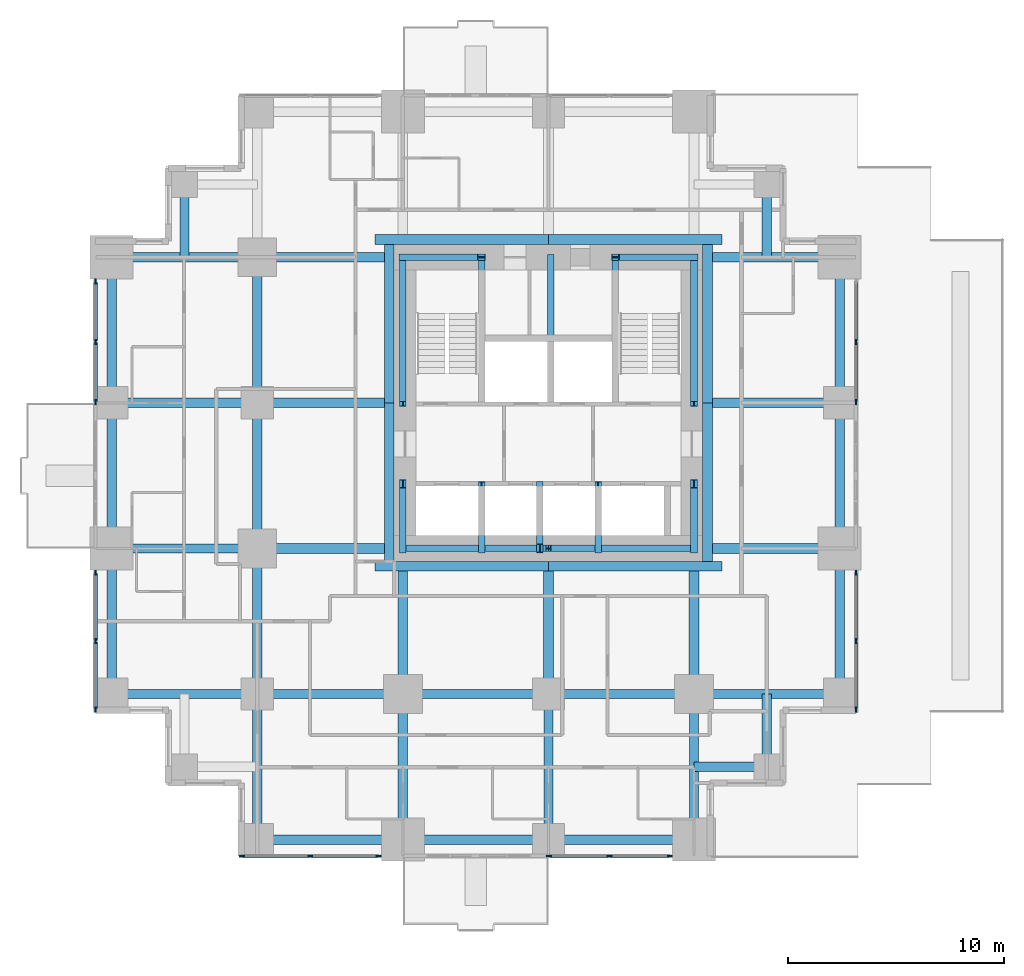
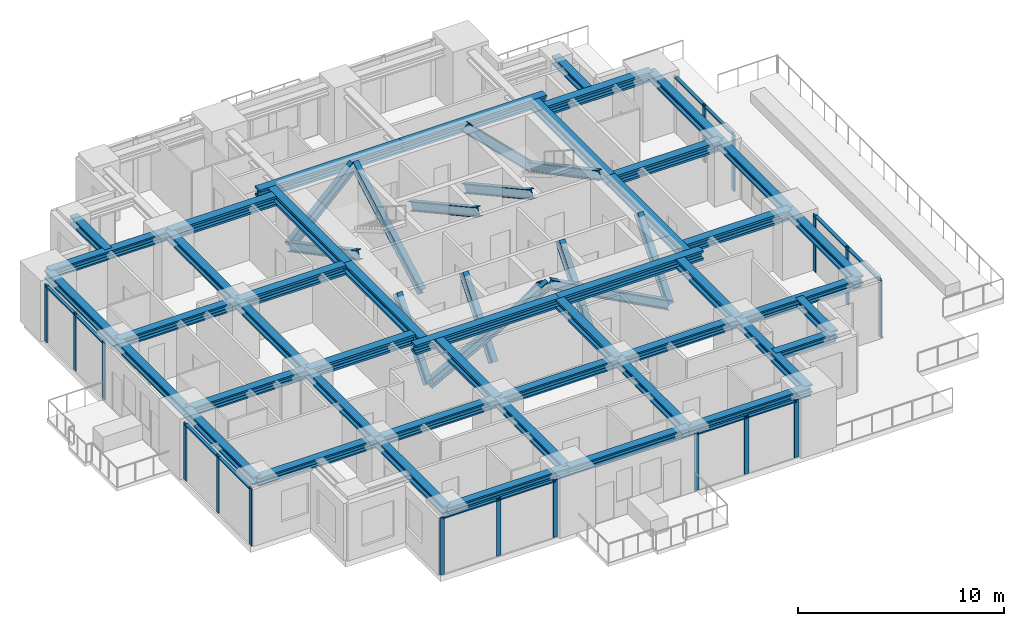
# One storey, part 2 of 10: 45 beams, 43 members, 6 elements without a shape of their own.
"""IFC4 building model written with IfcOpenShell, lengths in metres."""

import ifcopenshell
import ifcopenshell.guid

model = None  # the IFC model being written
_history = None  # IfcOwnerHistory: only IFC2X3 demands one
_inside = {}  # id of a spatial element -> (the spatial element, [elements in it])
_under = {}  # id of a project, library or spatial element -> (it, [spatial elements below it])
_declared = {}  # id of a project -> (the project, [libraries it declares])
_typed = {}  # id of a type object -> (the type object, [elements of that type])
_made_of = {}  # id of a material, layer set ... -> (it, [elements and type objects made of it])


def new_model(schema):
    """Start an empty IFC model of exactly this schema.

    Asked for "IFC4X3", IfcOpenShell would pick the latest addendum, in which some entities
    have other attributes; the version numbers below select the first issue.
    IFC2X3 requires an IfcOwnerHistory on every rooted entity: one is made here for all.
    """
    global model, _history
    if schema == "IFC4X3":
        model = ifcopenshell.file(schema_version=(4, 3, 0, 0))
    else:
        model = ifcopenshell.file(schema=schema)
    _inside.clear()
    _under.clear()
    _declared.clear()
    _typed.clear()
    _made_of.clear()
    _history = None
    if model.schema == "IFC2X3":
        org = make("IfcOrganization", Name="unknown")
        user = make(
            "IfcPersonAndOrganization",
            ThePerson=make("IfcPerson", FamilyName="unknown"),
            TheOrganization=org,
        )
        app = make(
            "IfcApplication",
            ApplicationDeveloper=org,
            Version="unknown",
            ApplicationFullName="unknown",
            ApplicationIdentifier="unknown",
        )
        _history = make(
            "IfcOwnerHistory",
            OwningUser=user,
            OwningApplication=app,
            ChangeAction="ADDED",
            CreationDate=0,
        )
    return model


def make(cls, **values):
    """One entity of the class cls with the attributes given. An attribute that is None is left unset."""
    return model.create_entity(
        cls, **{name: value for name, value in values.items() if value is not None}
    )


def rooted(cls, **values):
    """An entity with a GlobalId (a new one), such as an element, a storey or a relation."""
    return make(cls, GlobalId=ifcopenshell.guid.new(), OwnerHistory=_history, **values)


def si_unit(unit_type, name, prefix=None):
    """IfcSIUnit, for example si_unit("LENGTHUNIT", "METRE", prefix="MILLI")."""
    return make("IfcSIUnit", UnitType=unit_type, Prefix=prefix, Name=name)


def assignment(units):
    """IfcUnitAssignment: the units of a project."""
    return None if units is None else make("IfcUnitAssignment", Units=units)


def point(xyz):
    """IfcCartesianPoint."""
    return None if xyz is None else make("IfcCartesianPoint", Coordinates=xyz)


def direction(xyz):
    """IfcDirection."""
    return None if xyz is None else make("IfcDirection", DirectionRatios=xyz)


def frame(location, z_axis=None, x_axis=None):
    """IfcAxis2Placement3D, a coordinate frame: its origin and axes. An axis left out is left unset."""
    return make(
        "IfcAxis2Placement3D",
        Location=point(location),
        Axis=direction(z_axis),
        RefDirection=direction(x_axis),
    )


def frame_2d(location, x_axis=None):
    """IfcAxis2Placement2D, a coordinate frame in the plane: its origin and x axis."""
    return make(
        "IfcAxis2Placement2D", Location=point(location), RefDirection=direction(x_axis)
    )


def origin():
    """The frame at (0, 0, 0) with its axes left unset."""
    return frame((0.0, 0.0, 0.0))


def origin_2d():
    """The frame at (0, 0) in the plane with its x axis left unset."""
    return frame_2d((0.0, 0.0))


def place(relative_to, where):
    """IfcLocalPlacement: puts the frame where relative to a parent placement (None: the world)."""
    return make(
        "IfcLocalPlacement", PlacementRelTo=relative_to, RelativePlacement=where
    )


def context(
    kind, dimensions, precision=None, world=None, true_north=None, identifier=None
):
    """IfcGeometricRepresentationContext, for example the 3D "Model" context."""
    return make(
        "IfcGeometricRepresentationContext",
        ContextIdentifier=identifier,
        ContextType=kind,
        CoordinateSpaceDimension=dimensions,
        Precision=precision,
        WorldCoordinateSystem=world,
        TrueNorth=true_north,
    )


def subcontext(parent, identifier, kind, view, scale=None):
    """IfcGeometricRepresentationSubContext, for example "Body" below "Model"."""
    return make(
        "IfcGeometricRepresentationSubContext",
        ContextIdentifier=identifier,
        ContextType=kind,
        ParentContext=parent,
        TargetScale=scale,
        TargetView=view,
    )


def project(units=None, contexts=None):
    """IfcProject with its units and contexts."""
    return rooted(
        "IfcProject",
        Name="project",
        RepresentationContexts=contexts,
        UnitsInContext=assignment(units),
    )


def spatial(cls, under=None, at=None, **own):
    """A site, building, storey or space (cls), placed at a placement, below another one or the project."""
    s = rooted(cls, ObjectPlacement=at, **own)
    if under is not None:
        _under.setdefault(under.id(), (under, []))[1].append(s)
    return s


def profile(cls, at=None, kind="AREA", **sizes):
    """A parametric profile (cls). Its sizes go by their IFC names, for example OverallWidth=200.0."""
    return make(cls, ProfileType=kind, Position=at, **sizes)


def rectangle(**sizes):
    """IfcRectangleProfileDef."""
    return profile("IfcRectangleProfileDef", **sizes)


def i_section(**sizes):
    """IfcIShapeProfileDef."""
    return profile("IfcIShapeProfileDef", **sizes)


def extrude(swept, where, along, depth):
    """IfcExtrudedAreaSolid: the profile swept, set in the frame where, extruded along a direction by depth."""
    return make(
        "IfcExtrudedAreaSolid",
        SweptArea=swept,
        Position=where,
        ExtrudedDirection=direction(along),
        Depth=depth,
    )


def shape(context_of_items, identifier, shape_type, items):
    """IfcShapeRepresentation: the items that make up one representation, for example the "Body"."""
    return make(
        "IfcShapeRepresentation",
        ContextOfItems=context_of_items,
        RepresentationIdentifier=identifier,
        RepresentationType=shape_type,
        Items=items,
    )


def material(Name=None, Category=None):
    """IfcMaterial."""
    return make("IfcMaterial", Name=Name, Category=Category)


def material_profile(
    of_material, cross_section, Name=None, Category=None, Priority=None
):
    """IfcMaterialProfile: a cross section and its material."""
    return make(
        "IfcMaterialProfile",
        Name=Name,
        Material=of_material,
        Profile=cross_section,
        Priority=Priority,
        Category=Category,
    )


def profile_set(profiles, Name=None, composite=None):
    """IfcMaterialProfileSet."""
    return make(
        "IfcMaterialProfileSet",
        Name=Name,
        MaterialProfiles=profiles,
        CompositeProfile=composite,
    )


def made_of(thing, what):
    """Note that an element or type object is made of a material, layer set ...; save() writes the relation."""
    if what is not None:
        _made_of.setdefault(what.id(), (what, []))[1].append(thing)
    return thing


def type_object(cls, material=None, **own):
    """A type object (cls), such as IfcWallType, which elements share."""
    return made_of(rooted(cls, **own), material)


def element(
    cls,
    number,
    at=None,
    inside=None,
    cuts=None,
    type_object=None,
    material=None,
    context=None,
    identifier="Body",
    shape_type=None,
    held_by="IfcProductDefinitionShape",
    body=None,
    shapes=None,
    **own,
):
    """One element of the class cls, such as IfcWall. Its Tag is "e" and its number.

    at: its placement. inside: the storey or other place that contains it. cuts: it is an
    opening in that element (IfcRelVoidsElement). A single representation is given by context,
    identifier, shape_type and body (its items); several are given by shapes. held_by: the class
    of the entity that holds the representations. save() writes the other relations.
    """
    e = rooted(cls, Tag="e%d" % number, ObjectPlacement=at, **own)
    if body is not None:
        shapes = [shape(context, identifier, shape_type, body)]
    if shapes is not None:
        e.Representation = make(held_by, Representations=shapes)
    if inside is not None:
        _inside.setdefault(inside.id(), (inside, []))[1].append(e)
    if cuts is not None:
        rooted(
            "IfcRelVoidsElement", RelatingBuildingElement=cuts, RelatedOpeningElement=e
        )
    if type_object is not None:
        _typed.setdefault(type_object.id(), (type_object, []))[1].append(e)
    return made_of(e, material)


def aggregate(whole, parts):
    """IfcRelAggregates: a whole, such as a stair, and the parts it consists of."""
    return rooted("IfcRelAggregates", RelatingObject=whole, RelatedObjects=parts)


def save(model, path):
    """Write the relations noted so far, then the file.

    IfcRelAggregates (storeys below a building ...), IfcRelContainedInSpatialStructure (elements
    in a storey), IfcRelDefinesByType, IfcRelAssociatesMaterial and IfcRelDeclares: one each for
    every whole, place, type object, material and project.
    """
    for whole, parts in _under.values():
        aggregate(whole, parts)
    for where, things in _inside.values():
        rooted(
            "IfcRelContainedInSpatialStructure",
            RelatedElements=things,
            RelatingStructure=where,
        )
    for kind, things in _typed.values():
        rooted("IfcRelDefinesByType", RelatedObjects=things, RelatingType=kind)
    for what, things in _made_of.values():
        rooted("IfcRelAssociatesMaterial", RelatedObjects=things, RelatingMaterial=what)
    for by, libraries in _declared.values():
        rooted("IfcRelDeclares", RelatingContext=by, RelatedDefinitions=libraries)
    model.write(path)


model = new_model("IFC4")

# Units and contexts
model_context = context("Model", 3, precision=1e-05, world=origin(), true_north=direction((0.0, 1.0)))
body_context = subcontext(model_context, "Body", "Model", "MODEL_VIEW")
ifc_project = project(units=[si_unit("LENGTHUNIT", "METRE"), si_unit("AREAUNIT", "SQUARE_METRE"), si_unit("VOLUMEUNIT", "CUBIC_METRE"), si_unit("PLANEANGLEUNIT", "RADIAN"), si_unit("MASSUNIT", "GRAM", prefix="KILO")], contexts=[model_context])

# Site, building, storey
site_placement = place(None, origin())
site = spatial("IfcSite", under=ifc_project, at=site_placement, CompositionType="ELEMENT")
building_placement = place(site_placement, origin())
building = spatial("IfcBuilding", under=site, at=building_placement, Name="Nyansa Garden Tower", CompositionType="ELEMENT")
storey_placement = place(building_placement, frame((0.0, 0.0, 142.199951171875)))
storey = spatial("IfcBuildingStorey", under=building, at=storey_placement, Name="L38", CompositionType="ELEMENT", Elevation=142.199951171875)

# Curtain wall, members
ifc_material_1 = material(Name="Black anodised aluminium, dark tinted double glazing", Category="aluminium")
curtain_wall_type = type_object("IfcCurtainWallType", Name="Inner skin curtain wall ISW-C", PredefinedType="USERDEFINED", material=ifc_material_1)
curtain_wall_1_placement = place(storey_placement, origin())
curtain_wall_1 = element("IfcCurtainWall", 1, at=curtain_wall_1_placement, inside=storey, type_object=curtain_wall_type, Name="Inner skin curtain wall L38 E", ObjectType="UNITISED CURTAIN WALL", PredefinedType="USERDEFINED")
ifc_material_2 = material(Name="Black anodised aluminium", Category="aluminium")
ifc_material_profile_1 = material_profile(ifc_material_2, rectangle(XDim=0.070068359375, YDim=0.25, at=origin_2d()), Name="Mullion 250x70")
ifc_profile_set_1 = profile_set([ifc_material_profile_1], Name="Black anodised aluminium")
member_type_1 = type_object("IfcMemberType", Name="Mullion ISW-C 250x70", PredefinedType="MULLION", material=ifc_profile_set_1)
member_1_placement = place(storey_placement, frame((34.5, 6.034912109375, 0.0), z_axis=(0.0, 0.0, 1.0), x_axis=(-1.0, 0.0, 0.0)))
member_1 = element("IfcMember", 2, at=member_1_placement, type_object=member_type_1, Name="ISW-C mullion 1", PredefinedType="MULLION", context=body_context, shape_type="SweptSolid", body=[
    extrude(rectangle(XDim=0.070068359375, YDim=0.25, at=origin_2d()), origin(), (0.0, 0.0, 1.0), 3.375),
])
member_2_placement = place(storey_placement, frame((34.5, 9.205078125, 0.0), z_axis=(0.0, 0.0, 1.0), x_axis=(-1.0, 0.0, 0.0)))
member_2 = element("IfcMember", 3, at=member_2_placement, type_object=member_type_1, Name="ISW-C mullion 2", PredefinedType="MULLION", context=body_context, shape_type="SweptSolid", body=[
    extrude(rectangle(XDim=0.070068359375, YDim=0.25, at=origin_2d()), origin(), (0.0, 0.0, 1.0), 3.375),
])
member_3_placement = place(storey_placement, frame((34.5, 12.375, 0.0), z_axis=(0.0, 0.0, 1.0), x_axis=(-1.0, 0.0, 0.0)))
member_3 = element("IfcMember", 4, at=member_3_placement, type_object=member_type_1, Name="ISW-C mullion 3", PredefinedType="MULLION", context=body_context, shape_type="SweptSolid", body=[
    extrude(rectangle(XDim=0.070068359375, YDim=0.25, at=origin_2d()), origin(), (0.0, 0.0, 1.0), 3.375),
])

curtain_wall_2_placement = place(storey_placement, origin())
curtain_wall_2 = element("IfcCurtainWall", 5, at=curtain_wall_2_placement, inside=storey, type_object=curtain_wall_type, Name="Inner skin curtain wall L38 E", ObjectType="UNITISED CURTAIN WALL", PredefinedType="USERDEFINED")
member_4_placement = place(storey_placement, frame((34.5, 20.284912109375, 0.0), z_axis=(0.0, 0.0, 1.0), x_axis=(-1.0, 0.0, 0.0)))
member_4 = element("IfcMember", 6, at=member_4_placement, type_object=member_type_1, Name="ISW-C mullion 1", PredefinedType="MULLION", context=body_context, shape_type="SweptSolid", body=[
    extrude(rectangle(XDim=0.070068359375, YDim=0.25, at=origin_2d()), origin(), (0.0, 0.0, 1.0), 3.375),
])
member_5_placement = place(storey_placement, frame((34.5, 23.080078125, 0.0), z_axis=(0.0, 0.0, 1.0), x_axis=(-1.0, 0.0, 0.0)))
member_5 = element("IfcMember", 7, at=member_5_placement, type_object=member_type_1, Name="ISW-C mullion 2", PredefinedType="MULLION", context=body_context, shape_type="SweptSolid", body=[
    extrude(rectangle(XDim=0.070068359375, YDim=0.25, at=origin_2d()), origin(), (0.0, 0.0, 1.0), 3.375),
])

curtain_wall_3_placement = place(storey_placement, origin())
curtain_wall_3 = element("IfcCurtainWall", 8, at=curtain_wall_3_placement, inside=storey, type_object=curtain_wall_type, Name="Inner skin curtain wall L38 W", ObjectType="UNITISED CURTAIN WALL", PredefinedType="USERDEFINED")
member_6_placement = place(storey_placement, frame((-0.75, 12.375, 0.0), z_axis=(0.0, 0.0, 1.0), x_axis=(1.0, 0.0, 0.0)))
member_6 = element("IfcMember", 9, at=member_6_placement, type_object=member_type_1, Name="ISW-C mullion 1", PredefinedType="MULLION", context=body_context, shape_type="SweptSolid", body=[
    extrude(rectangle(XDim=0.070068359375, YDim=0.25, at=origin_2d()), origin(), (0.0, 0.0, 1.0), 3.375),
])
member_7_placement = place(storey_placement, frame((-0.75, 9.205078125, 0.0), z_axis=(0.0, 0.0, 1.0), x_axis=(1.0, 0.0, 0.0)))
member_7 = element("IfcMember", 10, at=member_7_placement, type_object=member_type_1, Name="ISW-C mullion 2", PredefinedType="MULLION", context=body_context, shape_type="SweptSolid", body=[
    extrude(rectangle(XDim=0.070068359375, YDim=0.25, at=origin_2d()), origin(), (0.0, 0.0, 1.0), 3.375),
])
member_8_placement = place(storey_placement, frame((-0.75, 6.034912109375, 0.0), z_axis=(0.0, 0.0, 1.0), x_axis=(1.0, 0.0, 0.0)))
member_8 = element("IfcMember", 11, at=member_8_placement, type_object=member_type_1, Name="ISW-C mullion 3", PredefinedType="MULLION", context=body_context, shape_type="SweptSolid", body=[
    extrude(rectangle(XDim=0.070068359375, YDim=0.25, at=origin_2d()), origin(), (0.0, 0.0, 1.0), 3.375),
])

curtain_wall_4_placement = place(storey_placement, origin())
curtain_wall_4 = element("IfcCurtainWall", 12, at=curtain_wall_4_placement, inside=storey, type_object=curtain_wall_type, Name="Inner skin curtain wall L38 W", ObjectType="UNITISED CURTAIN WALL", PredefinedType="USERDEFINED")
member_9_placement = place(storey_placement, frame((-0.75, 25.875, 0.0), z_axis=(0.0, 0.0, 1.0), x_axis=(1.0, 0.0, 0.0)))
member_9 = element("IfcMember", 13, at=member_9_placement, type_object=member_type_1, Name="ISW-C mullion 1", PredefinedType="MULLION", context=body_context, shape_type="SweptSolid", body=[
    extrude(rectangle(XDim=0.070068359375, YDim=0.25, at=origin_2d()), origin(), (0.0, 0.0, 1.0), 3.375),
])
member_10_placement = place(storey_placement, frame((-0.75, 23.080078125, 0.0), z_axis=(0.0, 0.0, 1.0), x_axis=(1.0, 0.0, 0.0)))
member_10 = element("IfcMember", 14, at=member_10_placement, type_object=member_type_1, Name="ISW-C mullion 2", PredefinedType="MULLION", context=body_context, shape_type="SweptSolid", body=[
    extrude(rectangle(XDim=0.070068359375, YDim=0.25, at=origin_2d()), origin(), (0.0, 0.0, 1.0), 3.375),
])
member_11_placement = place(storey_placement, frame((-0.75, 20.284912109375, 0.0), z_axis=(0.0, 0.0, 1.0), x_axis=(1.0, 0.0, 0.0)))
member_11 = element("IfcMember", 15, at=member_11_placement, type_object=member_type_1, Name="ISW-C mullion 3", PredefinedType="MULLION", context=body_context, shape_type="SweptSolid", body=[
    extrude(rectangle(XDim=0.070068359375, YDim=0.25, at=origin_2d()), origin(), (0.0, 0.0, 1.0), 3.375),
])

curtain_wall_5_placement = place(storey_placement, origin())
curtain_wall_5 = element("IfcCurtainWall", 16, at=curtain_wall_5_placement, inside=storey, type_object=curtain_wall_type, Name="Inner skin curtain wall L38 S", ObjectType="UNITISED CURTAIN WALL", PredefinedType="USERDEFINED")
member_12_placement = place(storey_placement, frame((6.034912109375, -0.75, 0.0), z_axis=(0.0, 0.0, 1.0), x_axis=(0.0, 1.0, 0.0)))
member_12 = element("IfcMember", 17, at=member_12_placement, type_object=member_type_1, Name="ISW-C mullion 1", PredefinedType="MULLION", context=body_context, shape_type="SweptSolid", body=[
    extrude(rectangle(XDim=0.070068359375, YDim=0.25, at=origin_2d()), origin(), (0.0, 0.0, 1.0), 3.375),
])
member_13_placement = place(storey_placement, frame((9.205078125, -0.75, 0.0), z_axis=(0.0, 0.0, 1.0), x_axis=(0.0, 1.0, 0.0)))
member_13 = element("IfcMember", 18, at=member_13_placement, type_object=member_type_1, Name="ISW-C mullion 2", PredefinedType="MULLION", context=body_context, shape_type="SweptSolid", body=[
    extrude(rectangle(XDim=0.070068359375, YDim=0.25, at=origin_2d()), origin(), (0.0, 0.0, 1.0), 3.375),
])
member_14_placement = place(storey_placement, frame((12.375, -0.75, 0.0), z_axis=(0.0, 0.0, 1.0), x_axis=(0.0, 1.0, 0.0)))
member_14 = element("IfcMember", 19, at=member_14_placement, type_object=member_type_1, Name="ISW-C mullion 3", PredefinedType="MULLION", context=body_context, shape_type="SweptSolid", body=[
    extrude(rectangle(XDim=0.070068359375, YDim=0.25, at=origin_2d()), origin(), (0.0, 0.0, 1.0), 3.375),
])

curtain_wall_6_placement = place(storey_placement, origin())
curtain_wall_6 = element("IfcCurtainWall", 20, at=curtain_wall_6_placement, inside=storey, type_object=curtain_wall_type, Name="Inner skin curtain wall L38 S", ObjectType="UNITISED CURTAIN WALL", PredefinedType="USERDEFINED")
member_15_placement = place(storey_placement, frame((20.284912109375, -0.75, 0.0), z_axis=(0.0, 0.0, 1.0), x_axis=(0.0, 1.0, 0.0)))
member_15 = element("IfcMember", 21, at=member_15_placement, type_object=member_type_1, Name="ISW-C mullion 1", PredefinedType="MULLION", context=body_context, shape_type="SweptSolid", body=[
    extrude(rectangle(XDim=0.070068359375, YDim=0.25, at=origin_2d()), origin(), (0.0, 0.0, 1.0), 3.375),
])
member_16_placement = place(storey_placement, frame((23.080078125, -0.75, 0.0), z_axis=(0.0, 0.0, 1.0), x_axis=(0.0, 1.0, 0.0)))
member_16 = element("IfcMember", 22, at=member_16_placement, type_object=member_type_1, Name="ISW-C mullion 2", PredefinedType="MULLION", context=body_context, shape_type="SweptSolid", body=[
    extrude(rectangle(XDim=0.070068359375, YDim=0.25, at=origin_2d()), origin(), (0.0, 0.0, 1.0), 3.375),
])
member_17_placement = place(storey_placement, frame((25.875, -0.75, 0.0), z_axis=(0.0, 0.0, 1.0), x_axis=(0.0, 1.0, 0.0)))
member_17 = element("IfcMember", 23, at=member_17_placement, type_object=member_type_1, Name="ISW-C mullion 3", PredefinedType="MULLION", context=body_context, shape_type="SweptSolid", body=[
    extrude(rectangle(XDim=0.070068359375, YDim=0.25, at=origin_2d()), origin(), (0.0, 0.0, 1.0), 3.375),
])

# Members
ifc_material_3 = material(Name="Steel S355", Category="steel")
ifc_material_profile_2 = material_profile(ifc_material_3, i_section(OverallWidth=0.305908203125, OverallDepth=0.52392578125, WebThickness=0.02099609375, FlangeThickness=0.0400390625, FilletRadius=0.027099609375, at=origin_2d()), Name="HE 500 M")
ifc_profile_set_2 = profile_set([ifc_material_profile_2], Name="Steel S355")
member_type_2 = type_object("IfcMemberType", Name="Perimeter brace HE 500 M", PredefinedType="BRACE", material=ifc_profile_set_2)
for number, where, z_axis, x_axis, name in (
    (24, (13.5, 13.5, 0.0), (0.882347640589, 0.0, 0.47059817376), (0.0, 1.0, 0.0), "Core brace CS1 L38"),
    (25, (27.0, 13.5, 0.0), (-0.882347640589, 0.0, 0.47059817376), (0.0, -1.0, 0.0), "Core brace CS2 L38"),
):
    element("IfcMember", number, at=place(storey_placement, frame(where, z_axis=z_axis, x_axis=x_axis)), inside=storey, type_object=member_type_2, Name=name, PredefinedType="BRACE", context=body_context, shape_type="SweptSolid", body=[
        extrude(i_section(OverallWidth=0.305908203125, OverallDepth=0.52392578125, WebThickness=0.02099609375, FlangeThickness=0.0400390625, FilletRadius=0.027099609375, at=origin_2d()), origin(), (0.0, 0.0, 1.0), 7.650146484375),
    ])
for number, where, z_axis, x_axis, name in (
    (26, (13.5, 27.0, 0.0), (0.711947531702, 0.0, 0.702232662373), (0.0, 1.0, 0.0), "Core brace CN3 L38"),
    (27, (27.0, 27.0, 0.0), (-0.711947531702, 0.0, 0.702232662373), (0.0, -1.0, 0.0), "Core brace CN4 L38"),
):
    element("IfcMember", number, at=place(storey_placement, frame(where, z_axis=z_axis, x_axis=x_axis)), inside=storey, type_object=member_type_2, Name=name, PredefinedType="BRACE", context=body_context, shape_type="SweptSolid", body=[
        extrude(i_section(OverallWidth=0.305908203125, OverallDepth=0.52392578125, WebThickness=0.02099609375, FlangeThickness=0.0400390625, FilletRadius=0.027099609375, at=origin_2d()), origin(), (0.0, 0.0, 1.0), 5.126708984375),
    ])
member_18_placement = place(storey_placement, frame((13.5, 13.5, 0.0), z_axis=(0.0, 0.640174150918, 0.768229820104), x_axis=(-1.0, 0.0, 0.0)))
element("IfcMember", 28, at=member_18_placement, inside=storey, type_object=member_type_2, Name="Core brace CW5 L38", PredefinedType="BRACE", context=body_context, shape_type="SweptSolid", body=[
    extrude(i_section(OverallWidth=0.305908203125, OverallDepth=0.52392578125, WebThickness=0.02099609375, FlangeThickness=0.0400390625, FilletRadius=0.027099609375, at=origin_2d()), origin(), (0.0, 0.0, 1.0), 4.686279296875),
])
member_19_placement = place(storey_placement, frame((13.5, 27.0, 0.0), z_axis=(0.0, -0.883784057226, 0.467895009796), x_axis=(1.0, 0.0, 0.0)))
element("IfcMember", 29, at=member_19_placement, inside=storey, type_object=member_type_2, Name="Core brace CW6 L38", PredefinedType="BRACE", context=body_context, shape_type="SweptSolid", body=[
    extrude(i_section(OverallWidth=0.305908203125, OverallDepth=0.52392578125, WebThickness=0.02099609375, FlangeThickness=0.0400390625, FilletRadius=0.027099609375, at=origin_2d()), origin(), (0.0, 0.0, 1.0), 7.6943359375),
])
member_20_placement = place(storey_placement, frame((27.0, 13.5, 0.0), z_axis=(0.0, 0.640174150918, 0.768229820104), x_axis=(-1.0, 0.0, 0.0)))
element("IfcMember", 30, at=member_20_placement, inside=storey, type_object=member_type_2, Name="Core brace CE7 L38", PredefinedType="BRACE", context=body_context, shape_type="SweptSolid", body=[
    extrude(i_section(OverallWidth=0.305908203125, OverallDepth=0.52392578125, WebThickness=0.02099609375, FlangeThickness=0.0400390625, FilletRadius=0.027099609375, at=origin_2d()), origin(), (0.0, 0.0, 1.0), 4.686279296875),
])
member_21_placement = place(storey_placement, frame((27.0, 27.0, 0.0), z_axis=(0.0, -0.883784057226, 0.467895009796), x_axis=(1.0, 0.0, 0.0)))
element("IfcMember", 31, at=member_21_placement, inside=storey, type_object=member_type_2, Name="Core brace CE8 L38", PredefinedType="BRACE", context=body_context, shape_type="SweptSolid", body=[
    extrude(i_section(OverallWidth=0.305908203125, OverallDepth=0.52392578125, WebThickness=0.02099609375, FlangeThickness=0.0400390625, FilletRadius=0.027099609375, at=origin_2d()), origin(), (0.0, 0.0, 1.0), 7.6943359375),
])
for number, where, z_axis, x_axis, name in (
    (32, (17.14990234375, 20.449951171875, 0.0), (0.0, 0.876353113771, 0.481669201822), (-1.0, 0.0, 0.0), "Core brace CWS9 L38"),
    (33, (23.35009765625, 27.0, 0.0), (0.0, -0.876353113771, 0.481669201822), (1.0, 0.0, 0.0), "Core brace CES10 L38"),
):
    element("IfcMember", number, at=place(storey_placement, frame(where, z_axis=z_axis, x_axis=x_axis)), inside=storey, type_object=member_type_2, Name=name, PredefinedType="BRACE", context=body_context, shape_type="SweptSolid", body=[
        extrude(i_section(OverallWidth=0.305908203125, OverallDepth=0.52392578125, WebThickness=0.02099609375, FlangeThickness=0.0400390625, FilletRadius=0.027099609375, at=origin_2d()), origin(), (0.0, 0.0, 1.0), 7.47412109375),
    ])
for number, where, z_axis, x_axis, name in (
    (34, (17.14990234375, 13.5, 0.0), (0.0, 0.627306405886, 0.778772542617), (-1.0, 0.0, 0.0), "Core brace CSW11 L38"),
    (35, (19.85009765625, 16.39990234375, 0.0), (0.0, -0.627306405886, 0.778772542617), (1.0, 0.0, 0.0), "Core brace CSW12 L38"),
    (36, (22.550048828125, 13.5, 0.0), (0.0, 0.627306405886, 0.778772542617), (-1.0, 0.0, 0.0), "Core brace CSW13 L38"),
):
    element("IfcMember", number, at=place(storey_placement, frame(where, z_axis=z_axis, x_axis=x_axis)), inside=storey, type_object=member_type_2, Name=name, PredefinedType="BRACE", context=body_context, shape_type="SweptSolid", body=[
        extrude(i_section(OverallWidth=0.305908203125, OverallDepth=0.52392578125, WebThickness=0.02099609375, FlangeThickness=0.0400390625, FilletRadius=0.027099609375, at=origin_2d()), origin(), (0.0, 0.0, 1.0), 4.622802734375),
    ])
member_22_placement = place(storey_placement, frame((20.35009765625, 27.0, 0.0), z_axis=(0.0, -0.876353113771, 0.481669201822), x_axis=(1.0, 0.0, 0.0)))
element("IfcMember", 37, at=member_22_placement, inside=storey, type_object=member_type_2, Name="Core brace CNW14 L38", PredefinedType="BRACE", context=body_context, shape_type="SweptSolid", body=[
    extrude(i_section(OverallWidth=0.305908203125, OverallDepth=0.52392578125, WebThickness=0.02099609375, FlangeThickness=0.0400390625, FilletRadius=0.027099609375, at=origin_2d()), origin(), (0.0, 0.0, 1.0), 7.47412109375),
])

# Beams
ifc_material_4 = material(Name="Steel S355", Category="steel")
ifc_material_profile_3 = material_profile(ifc_material_4, i_section(OverallWidth=0.431884765625, OverallDepth=0.498046875, WebThickness=0.0556640625, FlangeThickness=0.0888671875, FilletRadius=0.014892578125, at=origin_2d()), Name="HD 400x744")
ifc_profile_set_3 = profile_set([ifc_material_profile_3], Name="Steel S355")
beam_type_1 = type_object("IfcBeamType", Name="Steel beam SBC2-744 HD 400x744", PredefinedType="BEAM", material=ifc_profile_set_3)
for number, where, z_axis, x_axis, name in (
    (38, (0.0, 6.75, 3.1259765625), (1.0, 0.0, 0.0), (0.0, 1.0, 0.0), "Steel beam 2/E-3/E L39"),
    (39, (0.0, 13.5, 3.1259765625), (1.0, 0.0, 0.0), (0.0, 1.0, 0.0), "Steel beam 2/F-3/F L39"),
    (40, (0.0, 20.25, 3.1259765625), (1.0, 0.0, 0.0), (0.0, 1.0, 0.0), "Steel beam 2/G-3/G L39"),
    (41, (0.0, 27.0, 3.1259765625), (1.0, 0.0, 0.0), (0.0, 1.0, 0.0), "Steel beam 2/H-3/H L39"),
    (42, (6.75, 0.0, 3.1259765625), (0.0, 1.0, 0.0), (-1.0, 0.0, 0.0), "Steel beam 3/D-3/E L39"),
    (43, (6.75, 6.75, 3.1259765625), (0.0, 1.0, 0.0), (-1.0, 0.0, 0.0), "Steel beam 3/E-3/F L39"),
    (44, (6.75, 6.75, 3.1259765625), (1.0, 0.0, 0.0), (0.0, 1.0, 0.0), "Steel beam 3/E-4/E L39"),
    (45, (6.75, 13.5, 3.1259765625), (0.0, 1.0, 0.0), (-1.0, 0.0, 0.0), "Steel beam 3/F-3/G L39"),
    (46, (6.75, 20.25, 3.1259765625), (0.0, 1.0, 0.0), (-1.0, 0.0, 0.0), "Steel beam 3/G-3/H L39"),
    (47, (13.5, 0.0, 3.1259765625), (0.0, 1.0, 0.0), (-1.0, 0.0, 0.0), "Steel beam 4/D-4/E L39"),
    (48, (13.5, 6.75, 3.1259765625), (1.0, 0.0, 0.0), (0.0, 1.0, 0.0), "Steel beam 4/E-5/E L39"),
    (49, (20.25, 0.0, 3.1259765625), (0.0, 1.0, 0.0), (-1.0, 0.0, 0.0), "Steel beam 5/D-5/E L39"),
    (50, (20.25, 6.75, 3.1259765625), (1.0, 0.0, 0.0), (0.0, 1.0, 0.0), "Steel beam 5/E-6/E L39"),
    (51, (27.0, 0.0, 3.1259765625), (0.0, 1.0, 0.0), (-1.0, 0.0, 0.0), "Steel beam 6/D-6/E L39"),
    (52, (27.0, 6.75, 3.1259765625), (1.0, 0.0, 0.0), (0.0, 1.0, 0.0), "Steel beam 6/E-7/E L39"),
):
    element("IfcBeam", number, at=place(storey_placement, frame(where, z_axis=z_axis, x_axis=x_axis)), inside=storey, type_object=beam_type_1, Name=name, PredefinedType="BEAM", context=body_context, shape_type="SweptSolid", body=[
        extrude(i_section(OverallWidth=0.431884765625, OverallDepth=0.498046875, WebThickness=0.0556640625, FlangeThickness=0.0888671875, FilletRadius=0.014892578125, at=origin_2d()), origin(), (0.0, 0.0, 1.0), 6.75),
    ])
ifc_material_5 = material(Name="Steel S355", Category="steel")
ifc_material_profile_4 = material_profile(ifc_material_5, i_section(OverallWidth=0.4541015625, OverallDepth=0.569091796875, WebThickness=0.077880859375, FlangeThickness=0.125, FilletRadius=0.014892578125, at=origin_2d()), Name="HD 400x1086")
ifc_profile_set_4 = profile_set([ifc_material_profile_4], Name="Steel S355")
beam_type_2 = type_object("IfcBeamType", Name="Steel beam SCL-1086 HD 400x1086", PredefinedType="BEAM", material=ifc_profile_set_4)
for number, where, z_axis, x_axis, name in (
    (53, (6.75, 13.5, 3.090576171875), (1.0, 0.0, 0.0), (0.0, 1.0, 0.0), "Steel beam 3/F-12.650/F L39"),
    (54, (6.75, 20.25, 3.090576171875), (1.0, 0.0, 0.0), (0.0, 1.0, 0.0), "Steel beam 3/G-12.650/G L39"),
    (55, (6.75, 27.0, 3.090576171875), (1.0, 0.0, 0.0), (0.0, 1.0, 0.0), "Steel beam 3/H-12.650/H L39"),
):
    element("IfcBeam", number, at=place(storey_placement, frame(where, z_axis=z_axis, x_axis=x_axis)), inside=storey, type_object=beam_type_2, Name=name, PredefinedType="BEAM", context=body_context, shape_type="SweptSolid", body=[
        extrude(i_section(OverallWidth=0.4541015625, OverallDepth=0.569091796875, WebThickness=0.077880859375, FlangeThickness=0.125, FilletRadius=0.014892578125, at=origin_2d()), origin(), (0.0, 0.0, 1.0), 5.89990234375),
    ])
for number, where, z_axis, x_axis, name in (
    (56, (13.5, 6.75, 3.090576171875), (0.0, 1.0, 0.0), (-1.0, 0.0, 0.0), "Steel beam 4/E-4/12.450 L39"),
    (57, (20.25, 6.75, 3.090576171875), (0.0, 1.0, 0.0), (-1.0, 0.0, 0.0), "Steel beam 5/E-5/12.450 L39"),
    (58, (27.0, 6.75, 3.090576171875), (0.0, 1.0, 0.0), (-1.0, 0.0, 0.0), "Steel beam 6/E-6/12.450 L39"),
):
    element("IfcBeam", number, at=place(storey_placement, frame(where, z_axis=z_axis, x_axis=x_axis)), inside=storey, type_object=beam_type_2, Name=name, PredefinedType="BEAM", context=body_context, shape_type="SweptSolid", body=[
        extrude(i_section(OverallWidth=0.4541015625, OverallDepth=0.569091796875, WebThickness=0.077880859375, FlangeThickness=0.125, FilletRadius=0.014892578125, at=origin_2d()), origin(), (0.0, 0.0, 1.0), 5.699951171875),
    ])
for number, where, z_axis, x_axis, name in (
    (59, (27.85009765625, 13.5, 3.090576171875), (1.0, 0.0, 0.0), (0.0, 1.0, 0.0), "Steel beam 27.850/F-7/F L39"),
    (60, (27.85009765625, 20.25, 3.090576171875), (1.0, 0.0, 0.0), (0.0, 1.0, 0.0), "Steel beam 27.850/G-7/G L39"),
    (61, (27.85009765625, 27.0, 3.090576171875), (1.0, 0.0, 0.0), (0.0, 1.0, 0.0), "Steel beam 27.850/H-7/H L39"),
):
    element("IfcBeam", number, at=place(storey_placement, frame(where, z_axis=z_axis, x_axis=x_axis)), inside=storey, type_object=beam_type_2, Name=name, PredefinedType="BEAM", context=body_context, shape_type="SweptSolid", body=[
        extrude(i_section(OverallWidth=0.4541015625, OverallDepth=0.569091796875, WebThickness=0.077880859375, FlangeThickness=0.125, FilletRadius=0.014892578125, at=origin_2d()), origin(), (0.0, 0.0, 1.0), 5.89990234375),
    ])
for number, where, z_axis, x_axis, name in (
    (62, (12.199951171875, 12.673095703125, 3.090576171875), (1.0, 0.0, 0.0), (0.0, 1.0, 0.0), "Steel core ledger beam S.1 L39"),
    (63, (20.25, 12.673095703125, 3.090576171875), (1.0, 0.0, 0.0), (0.0, 1.0, 0.0), "Steel core ledger beam S.2 L39"),
):
    element("IfcBeam", number, at=place(storey_placement, frame(where, z_axis=z_axis, x_axis=x_axis)), inside=storey, type_object=beam_type_2, Name=name, PredefinedType="BEAM", context=body_context, shape_type="SweptSolid", body=[
        extrude(i_section(OverallWidth=0.4541015625, OverallDepth=0.569091796875, WebThickness=0.077880859375, FlangeThickness=0.125, FilletRadius=0.014892578125, at=origin_2d()), origin(), (0.0, 0.0, 1.0), 8.050048828125),
    ])
for number, where, z_axis, x_axis, name in (
    (64, (27.626953125, 12.89990234375, 3.090576171875), (0.0, 1.0, 0.0), (-1.0, 0.0, 0.0), "Steel core ledger beam E.1 L39"),
    (65, (27.626953125, 20.25, 3.090576171875), (0.0, 1.0, 0.0), (-1.0, 0.0, 0.0), "Steel core ledger beam E.2 L39"),
):
    element("IfcBeam", number, at=place(storey_placement, frame(where, z_axis=z_axis, x_axis=x_axis)), inside=storey, type_object=beam_type_2, Name=name, PredefinedType="BEAM", context=body_context, shape_type="SweptSolid", body=[
        extrude(i_section(OverallWidth=0.4541015625, OverallDepth=0.569091796875, WebThickness=0.077880859375, FlangeThickness=0.125, FilletRadius=0.014892578125, at=origin_2d()), origin(), (0.0, 0.0, 1.0), 7.35009765625),
    ])
for number, where, z_axis, x_axis, name in (
    (66, (28.300048828125, 27.826904296875, 3.090576171875), (-1.0, 0.0, 0.0), (0.0, -1.0, 0.0), "Steel core ledger beam N.1 L39"),
    (67, (20.25, 27.826904296875, 3.090576171875), (-1.0, 0.0, 0.0), (0.0, -1.0, 0.0), "Steel core ledger beam N.2 L39"),
):
    element("IfcBeam", number, at=place(storey_placement, frame(where, z_axis=z_axis, x_axis=x_axis)), inside=storey, type_object=beam_type_2, Name=name, PredefinedType="BEAM", context=body_context, shape_type="SweptSolid", body=[
        extrude(i_section(OverallWidth=0.4541015625, OverallDepth=0.569091796875, WebThickness=0.077880859375, FlangeThickness=0.125, FilletRadius=0.014892578125, at=origin_2d()), origin(), (0.0, 0.0, 1.0), 8.050048828125),
    ])
for number, where, z_axis, x_axis, name in (
    (68, (12.873046875, 27.60009765625, 3.090576171875), (0.0, -1.0, 0.0), (1.0, 0.0, 0.0), "Steel core ledger beam W.1 L39"),
    (69, (12.873046875, 20.25, 3.090576171875), (0.0, -1.0, 0.0), (1.0, 0.0, 0.0), "Steel core ledger beam W.2 L39"),
):
    element("IfcBeam", number, at=place(storey_placement, frame(where, z_axis=z_axis, x_axis=x_axis)), inside=storey, type_object=beam_type_2, Name=name, PredefinedType="BEAM", context=body_context, shape_type="SweptSolid", body=[
        extrude(i_section(OverallWidth=0.4541015625, OverallDepth=0.569091796875, WebThickness=0.077880859375, FlangeThickness=0.125, FilletRadius=0.014892578125, at=origin_2d()), origin(), (0.0, 0.0, 1.0), 7.35009765625),
    ])
ifc_material_6 = material(Name="Steel S355", Category="steel")
ifc_material_profile_5 = material_profile(ifc_material_6, i_section(OverallWidth=0.431884765625, OverallDepth=0.498046875, WebThickness=0.0556640625, FlangeThickness=0.0888671875, FilletRadius=0.014892578125, at=origin_2d()), Name="HD 400x744")
ifc_profile_set_5 = profile_set([ifc_material_profile_5], Name="Steel S355")
beam_type_3 = type_object("IfcBeamType", Name="Steel beam SEBC-744 HD 400x744", PredefinedType="BEAM", material=ifc_profile_set_5)
for number, where, z_axis, x_axis, name in (
    (70, (0.0, 6.75, 3.1259765625), (0.0, 1.0, 0.0), (-1.0, 0.0, 0.0), "Steel edge beam 2/E-2/F L39"),
    (71, (0.0, 13.5, 3.1259765625), (0.0, 1.0, 0.0), (-1.0, 0.0, 0.0), "Steel edge beam 2/F-2/G L39"),
    (72, (0.0, 20.25, 3.1259765625), (0.0, 1.0, 0.0), (-1.0, 0.0, 0.0), "Steel edge beam 2/G-2/H L39"),
    (73, (6.75, 0.0, 3.1259765625), (1.0, 0.0, 0.0), (0.0, 1.0, 0.0), "Steel edge beam 3/D-4/D L39"),
    (74, (13.5, 0.0, 3.1259765625), (1.0, 0.0, 0.0), (0.0, 1.0, 0.0), "Steel edge beam 4/D-5/D L39"),
    (75, (20.25, 0.0, 3.1259765625), (1.0, 0.0, 0.0), (0.0, 1.0, 0.0), "Steel edge beam 5/D-6/D L39"),
    (76, (33.75, 6.75, 3.1259765625), (0.0, 1.0, 0.0), (-1.0, 0.0, 0.0), "Steel edge beam 7/E-7/F L39"),
    (77, (33.75, 13.5, 3.1259765625), (0.0, 1.0, 0.0), (-1.0, 0.0, 0.0), "Steel edge beam 7/F-7/G L39"),
    (78, (33.75, 20.25, 3.1259765625), (0.0, 1.0, 0.0), (-1.0, 0.0, 0.0), "Steel edge beam 7/G-7/H L39"),
):
    element("IfcBeam", number, at=place(storey_placement, frame(where, z_axis=z_axis, x_axis=x_axis)), inside=storey, type_object=beam_type_3, Name=name, PredefinedType="BEAM", context=body_context, shape_type="SweptSolid", body=[
        extrude(i_section(OverallWidth=0.431884765625, OverallDepth=0.498046875, WebThickness=0.0556640625, FlangeThickness=0.0888671875, FilletRadius=0.014892578125, at=origin_2d()), origin(), (0.0, 0.0, 1.0), 6.75),
    ])
ifc_material_7 = material(Name="Steel S355", Category="steel")
ifc_material_profile_6 = material_profile(ifc_material_7, i_section(OverallWidth=0.431884765625, OverallDepth=0.498046875, WebThickness=0.0556640625, FlangeThickness=0.0888671875, FilletRadius=0.014892578125, at=origin_2d()), Name="HD 400x744")
ifc_profile_set_6 = profile_set([ifc_material_profile_6], Name="Steel S355")
beam_type_4 = type_object("IfcBeamType", Name="Steel beam SSB1-744 HD 400x744", PredefinedType="BEAM", material=ifc_profile_set_6)
for number, where, z_axis, x_axis, name in (
    (79, (30.375, 3.375, 3.1259765625), (0.0, 1.0, 0.0), (-1.0, 0.0, 0.0), "Steel step beam 30.375/3.375 L39"),
    (80, (30.375, 3.375, 3.1259765625), (-1.0, 0.0, 0.0), (0.0, -1.0, 0.0), "Steel step beam 30.375/3.375 L39"),
    (81, (30.375, 30.375, 3.1259765625), (0.0, -1.0, 0.0), (1.0, 0.0, 0.0), "Steel step beam 30.375/30.375 L39"),
    (82, (3.375, 30.375, 3.1259765625), (0.0, -1.0, 0.0), (1.0, 0.0, 0.0), "Steel step beam 3.375/30.375 L39"),
):
    element("IfcBeam", number, at=place(storey_placement, frame(where, z_axis=z_axis, x_axis=x_axis)), inside=storey, type_object=beam_type_4, Name=name, PredefinedType="BEAM", context=body_context, shape_type="SweptSolid", body=[
        extrude(i_section(OverallWidth=0.431884765625, OverallDepth=0.498046875, WebThickness=0.0556640625, FlangeThickness=0.0888671875, FilletRadius=0.014892578125, at=origin_2d()), origin(), (0.0, 0.0, 1.0), 3.375),
    ])

# Member
ifc_material_8 = material(Name="Black anodised aluminium", Category="aluminium")
ifc_material_profile_7 = material_profile(ifc_material_8, rectangle(XDim=0.179931640625, YDim=0.070068359375, at=origin_2d()), Name="Transom 180x70")
ifc_profile_set_7 = profile_set([ifc_material_profile_7], Name="Black anodised aluminium")
member_type_3 = type_object("IfcMemberType", Name="Transom ISW-C 180x70", PredefinedType="USERDEFINED", material=ifc_profile_set_7)
member_23_placement = place(storey_placement, frame((34.5, 6.070068359375, 3.340087890625), z_axis=(0.0, 1.0, 0.0), x_axis=(-1.0, 0.0, 0.0)))
member_23 = element("IfcMember", 83, at=member_23_placement, type_object=member_type_3, Name="ISW-C transom 1", ObjectType="TRANSOM", PredefinedType="USERDEFINED", context=body_context, shape_type="SweptSolid", body=[
    extrude(rectangle(XDim=0.179931640625, YDim=0.070068359375, at=origin_2d()), origin(), (0.0, 0.0, 1.0), 3.099853515625),
])

member_24_placement = place(storey_placement, frame((34.5, 9.239990234375, 3.340087890625), z_axis=(0.0, 1.0, 0.0), x_axis=(-1.0, 0.0, 0.0)))
member_24 = element("IfcMember", 84, at=member_24_placement, type_object=member_type_3, Name="ISW-C transom 2", ObjectType="TRANSOM", PredefinedType="USERDEFINED", context=body_context, shape_type="SweptSolid", body=[
    extrude(rectangle(XDim=0.179931640625, YDim=0.070068359375, at=origin_2d()), origin(), (0.0, 0.0, 1.0), 3.10009765625),
])

aggregate(curtain_wall_1, [member_1, member_2, member_3, member_23, member_24])

member_25_placement = place(storey_placement, frame((34.5, 20.320068359375, 3.340087890625), z_axis=(0.0, 1.0, 0.0), x_axis=(-1.0, 0.0, 0.0)))
member_25 = element("IfcMember", 85, at=member_25_placement, type_object=member_type_3, Name="ISW-C transom 1", ObjectType="TRANSOM", PredefinedType="USERDEFINED", context=body_context, shape_type="SweptSolid", body=[
    extrude(rectangle(XDim=0.179931640625, YDim=0.070068359375, at=origin_2d()), origin(), (0.0, 0.0, 1.0), 2.724853515625),
])

member_26_placement = place(storey_placement, frame((34.5, 23.114990234375, 3.340087890625), z_axis=(0.0, 1.0, 0.0), x_axis=(-1.0, 0.0, 0.0)))
member_26 = element("IfcMember", 86, at=member_26_placement, type_object=member_type_3, Name="ISW-C transom 2", ObjectType="TRANSOM", PredefinedType="USERDEFINED", context=body_context, shape_type="SweptSolid", body=[
    extrude(rectangle(XDim=0.179931640625, YDim=0.070068359375, at=origin_2d()), origin(), (0.0, 0.0, 1.0), 2.72509765625),
])

aggregate(curtain_wall_2, [member_4, member_5, member_25, member_26])

member_27_placement = place(storey_placement, frame((-0.75, 12.340087890625, 3.340087890625), z_axis=(0.0, -1.0, 0.0), x_axis=(1.0, 0.0, 0.0)))
member_27 = element("IfcMember", 87, at=member_27_placement, type_object=member_type_3, Name="ISW-C transom 1", ObjectType="TRANSOM", PredefinedType="USERDEFINED", context=body_context, shape_type="SweptSolid", body=[
    extrude(rectangle(XDim=0.179931640625, YDim=0.070068359375, at=origin_2d()), origin(), (0.0, 0.0, 1.0), 3.10009765625),
])

member_28_placement = place(storey_placement, frame((-0.75, 9.169921875, 3.340087890625), z_axis=(0.0, -1.0, 0.0), x_axis=(1.0, 0.0, 0.0)))
member_28 = element("IfcMember", 88, at=member_28_placement, type_object=member_type_3, Name="ISW-C transom 2", ObjectType="TRANSOM", PredefinedType="USERDEFINED", context=body_context, shape_type="SweptSolid", body=[
    extrude(rectangle(XDim=0.179931640625, YDim=0.070068359375, at=origin_2d()), origin(), (0.0, 0.0, 1.0), 3.099853515625),
])

aggregate(curtain_wall_3, [member_6, member_7, member_8, member_27, member_28])

member_29_placement = place(storey_placement, frame((-0.75, 25.840087890625, 3.340087890625), z_axis=(0.0, -1.0, 0.0), x_axis=(1.0, 0.0, 0.0)))
member_29 = element("IfcMember", 89, at=member_29_placement, type_object=member_type_3, Name="ISW-C transom 1", ObjectType="TRANSOM", PredefinedType="USERDEFINED", context=body_context, shape_type="SweptSolid", body=[
    extrude(rectangle(XDim=0.179931640625, YDim=0.070068359375, at=origin_2d()), origin(), (0.0, 0.0, 1.0), 2.72509765625),
])

member_30_placement = place(storey_placement, frame((-0.75, 23.044921875, 3.340087890625), z_axis=(0.0, -1.0, 0.0), x_axis=(1.0, 0.0, 0.0)))
member_30 = element("IfcMember", 90, at=member_30_placement, type_object=member_type_3, Name="ISW-C transom 2", ObjectType="TRANSOM", PredefinedType="USERDEFINED", context=body_context, shape_type="SweptSolid", body=[
    extrude(rectangle(XDim=0.179931640625, YDim=0.070068359375, at=origin_2d()), origin(), (0.0, 0.0, 1.0), 2.724853515625),
])

aggregate(curtain_wall_4, [member_9, member_10, member_11, member_29, member_30])

member_31_placement = place(storey_placement, frame((6.070068359375, -0.75, 3.340087890625), z_axis=(1.0, 0.0, 0.0), x_axis=(0.0, 1.0, 0.0)))
member_31 = element("IfcMember", 91, at=member_31_placement, type_object=member_type_3, Name="ISW-C transom 1", ObjectType="TRANSOM", PredefinedType="USERDEFINED", context=body_context, shape_type="SweptSolid", body=[
    extrude(rectangle(XDim=0.179931640625, YDim=0.070068359375, at=origin_2d()), origin(), (0.0, 0.0, 1.0), 3.099853515625),
])

member_32_placement = place(storey_placement, frame((9.239990234375, -0.75, 3.340087890625), z_axis=(1.0, 0.0, 0.0), x_axis=(0.0, 1.0, 0.0)))
member_32 = element("IfcMember", 92, at=member_32_placement, type_object=member_type_3, Name="ISW-C transom 2", ObjectType="TRANSOM", PredefinedType="USERDEFINED", context=body_context, shape_type="SweptSolid", body=[
    extrude(rectangle(XDim=0.179931640625, YDim=0.070068359375, at=origin_2d()), origin(), (0.0, 0.0, 1.0), 3.10009765625),
])

aggregate(curtain_wall_5, [member_12, member_13, member_14, member_31, member_32])

member_33_placement = place(storey_placement, frame((20.320068359375, -0.75, 3.340087890625), z_axis=(1.0, 0.0, 0.0), x_axis=(0.0, 1.0, 0.0)))
member_33 = element("IfcMember", 93, at=member_33_placement, type_object=member_type_3, Name="ISW-C transom 1", ObjectType="TRANSOM", PredefinedType="USERDEFINED", context=body_context, shape_type="SweptSolid", body=[
    extrude(rectangle(XDim=0.179931640625, YDim=0.070068359375, at=origin_2d()), origin(), (0.0, 0.0, 1.0), 2.724853515625),
])

member_34_placement = place(storey_placement, frame((23.114990234375, -0.75, 3.340087890625), z_axis=(1.0, 0.0, 0.0), x_axis=(0.0, 1.0, 0.0)))
member_34 = element("IfcMember", 94, at=member_34_placement, type_object=member_type_3, Name="ISW-C transom 2", ObjectType="TRANSOM", PredefinedType="USERDEFINED", context=body_context, shape_type="SweptSolid", body=[
    extrude(rectangle(XDim=0.179931640625, YDim=0.070068359375, at=origin_2d()), origin(), (0.0, 0.0, 1.0), 2.72509765625),
])

aggregate(curtain_wall_6, [member_15, member_16, member_17, member_33, member_34])

save(model, "model.ifc")
